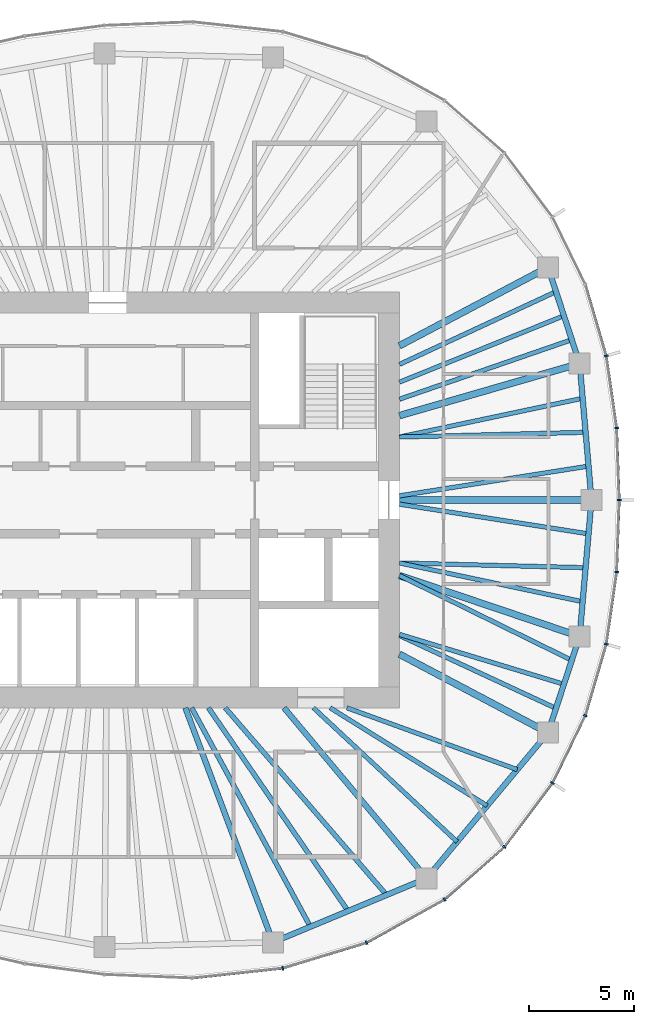
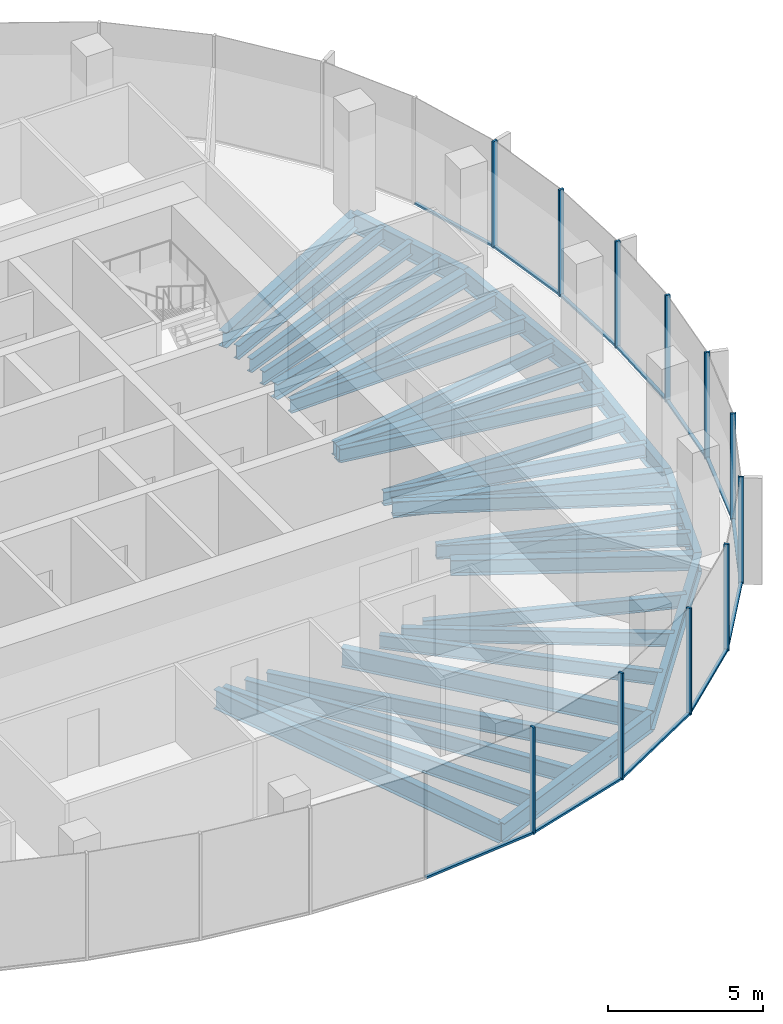
# One storey, part 4 of 12: 31 beams, 23 members, 7 elements without a shape of their own.
"""IFC4 building model written with IfcOpenShell, lengths in metres."""

from ifc_helpers import new_model, si_unit, direction, frame, origin, origin_2d, place, context, subcontext, project, spatial, rectangle, i_section, extrude, material, material_profile, profile_set, type_object, element, aggregate, save


model = new_model("IFC4")

# Units and contexts
model_context = context("Model", 3, precision=1e-05, world=origin(), true_north=direction((0.0, 1.0)))
body_context = subcontext(model_context, "Body", "Model", "MODEL_VIEW")
ifc_project = project(units=[si_unit("LENGTHUNIT", "METRE"), si_unit("AREAUNIT", "SQUARE_METRE"), si_unit("VOLUMEUNIT", "CUBIC_METRE"), si_unit("PLANEANGLEUNIT", "RADIAN"), si_unit("MASSUNIT", "GRAM", prefix="KILO")], contexts=[model_context])

# Site, building, storey
site_placement = place(None, origin())
site = spatial("IfcSite", under=ifc_project, at=site_placement, CompositionType="ELEMENT")
building_placement = place(site_placement, origin())
building = spatial("IfcBuilding", under=site, at=building_placement, Name="Ghaith Harvest Tower", CompositionType="ELEMENT")
storey_placement = place(building_placement, frame((0.0, 0.0, 304.800048828125)))
storey = spatial("IfcBuildingStorey", under=building, at=storey_placement, Name="L68", CompositionType="ELEMENT", Elevation=304.800048828125)

# Curtain wall, members
ifc_material_1 = material(Name="Black anodised aluminium and fritted glass", Category="aluminium")
curtain_wall_type = type_object("IfcCurtainWallType", Name="CW-T CURTAIN WALL", PredefinedType="NOTDEFINED", material=ifc_material_1)
curtain_wall_1_placement = place(storey_placement, origin())
curtain_wall_1 = element("IfcCurtainWall", 1, at=curtain_wall_1_placement, inside=storey, type_object=curtain_wall_type, Name="Curtain wall CW-T bay 01 L68", PredefinedType="NOTDEFINED")
ifc_material_2 = material(Name="Aluminium, black anodised", Category="aluminium")
ifc_material_profile_1 = material_profile(ifc_material_2, rectangle(XDim=0.080078125, YDim=0.179931640625, at=origin_2d()), Name="CW-T MULLION 80x180")
ifc_profile_set_1 = profile_set([ifc_material_profile_1], Name="Aluminium, black anodised")
member_type_1 = type_object("IfcMemberType", Name="CW-T MULLION 80x180", PredefinedType="MULLION", material=ifc_profile_set_1)
member_1_placement = place(storey_placement, frame((24.3701171875, 0.0, 0.0), z_axis=(0.0, 0.0, 1.0), x_axis=(5.2e-11, 1.0, 0.0)))
member_1 = element("IfcMember", 2, at=member_1_placement, type_object=member_type_1, Name="CW-T mullion 1 bay 01 L68", PredefinedType="MULLION", context=body_context, shape_type="SweptSolid", body=[
    extrude(rectangle(XDim=0.080078125, YDim=0.179931640625, at=origin_2d()), origin(), (0.0, 0.0, 1.0), 4.199951171875),
])
member_2_placement = place(storey_placement, frame((24.247802734375, 3.433837890625, 0.0), z_axis=(0.0, 0.0, 1.0), x_axis=(-0.089502202236, 0.995986624305, 0.0)))
member_2 = element("IfcMember", 3, at=member_2_placement, type_object=member_type_1, Name="CW-T mullion 2 bay 01 L68", PredefinedType="MULLION", context=body_context, shape_type="SweptSolid", body=[
    extrude(rectangle(XDim=0.080078125, YDim=0.179931640625, at=origin_2d()), origin(), (0.0, 0.0, 1.0), 4.199951171875),
])

# Curtain wall, member
curtain_wall_2_placement = place(storey_placement, origin())
curtain_wall_2 = element("IfcCurtainWall", 4, at=curtain_wall_2_placement, inside=storey, type_object=curtain_wall_type, Name="Curtain wall CW-T bay 02 L68", PredefinedType="NOTDEFINED")
member_3_placement = place(storey_placement, frame((23.753173828125, 6.865234375, 0.0), z_axis=(0.0, 0.0, 1.0), x_axis=(-0.21340203233, 0.976964468442, 0.0)))
member_3 = element("IfcMember", 5, at=member_3_placement, type_object=member_type_1, Name="CW-T mullion 1 bay 02 L68", PredefinedType="MULLION", context=body_context, shape_type="SweptSolid", body=[
    extrude(rectangle(XDim=0.080078125, YDim=0.179931640625, at=origin_2d()), origin(), (0.0, 0.0, 1.0), 4.199951171875),
])

# Curtain wall, members
curtain_wall_3_placement = place(storey_placement, origin())
curtain_wall_3 = element("IfcCurtainWall", 6, at=curtain_wall_3_placement, inside=storey, type_object=curtain_wall_type, Name="Curtain wall CW-T bay 17 L68", PredefinedType="NOTDEFINED")
member_4_placement = place(storey_placement, frame((8.33984375, -22.308837890625, 0.0), z_axis=(0.0, 0.0, 1.0), x_axis=(0.980000193265, 0.198996535647, 0.0)))
member_4 = element("IfcMember", 7, at=member_4_placement, type_object=member_type_1, Name="CW-T mullion 1 bay 17 L68", PredefinedType="MULLION", context=body_context, shape_type="SweptSolid", body=[
    extrude(rectangle(XDim=0.080078125, YDim=0.179931640625, at=origin_2d()), origin(), (0.0, 0.0, 1.0), 4.199951171875),
])
member_5_placement = place(storey_placement, frame((12.334228515625, -21.091796875, 0.0), z_axis=(0.0, 0.0, 1.0), x_axis=(0.920319269335, 0.391168048914, 0.0)))
member_5 = element("IfcMember", 8, at=member_5_placement, type_object=member_type_1, Name="CW-T mullion 2 bay 17 L68", PredefinedType="MULLION", context=body_context, shape_type="SweptSolid", body=[
    extrude(rectangle(XDim=0.080078125, YDim=0.179931640625, at=origin_2d()), origin(), (0.0, 0.0, 1.0), 4.199951171875),
])

curtain_wall_4_placement = place(storey_placement, origin())
curtain_wall_4 = element("IfcCurtainWall", 9, at=curtain_wall_4_placement, inside=storey, type_object=curtain_wall_type, Name="Curtain wall CW-T bay 18 L68", PredefinedType="NOTDEFINED")
member_6_placement = place(storey_placement, frame((16.04931640625, -19.031982421875, 0.0), z_axis=(0.0, 0.0, 1.0), x_axis=(0.821112053644, 0.570767023715, 0.0)))
member_6 = element("IfcMember", 10, at=member_6_placement, type_object=member_type_1, Name="CW-T mullion 1 bay 18 L68", PredefinedType="MULLION", context=body_context, shape_type="SweptSolid", body=[
    extrude(rectangle(XDim=0.080078125, YDim=0.179931640625, at=origin_2d()), origin(), (0.0, 0.0, 1.0), 4.199951171875),
])
member_7_placement = place(storey_placement, frame((18.901123046875, -16.527099609375, 0.0), z_axis=(0.0, 0.0, 1.0), x_axis=(0.679660897254, 0.733526458108, 0.0)))
member_7 = element("IfcMember", 11, at=member_7_placement, type_object=member_type_1, Name="CW-T mullion 2 bay 18 L68", PredefinedType="MULLION", context=body_context, shape_type="SweptSolid", body=[
    extrude(rectangle(XDim=0.080078125, YDim=0.179931640625, at=origin_2d()), origin(), (0.0, 0.0, 1.0), 4.199951171875),
])

curtain_wall_5_placement = place(storey_placement, origin())
curtain_wall_5 = element("IfcCurtainWall", 12, at=curtain_wall_5_placement, inside=storey, type_object=curtain_wall_type, Name="Curtain wall CW-T bay 19 L68", PredefinedType="NOTDEFINED")
member_8_placement = place(storey_placement, frame((21.18896484375, -13.48486328125, 0.0), z_axis=(0.0, 0.0, 1.0), x_axis=(0.524482238715, 0.85142138878, 0.0)))
member_8 = element("IfcMember", 13, at=member_8_placement, type_object=member_type_1, Name="CW-T mullion 1 bay 19 L68", PredefinedType="MULLION", context=body_context, shape_type="SweptSolid", body=[
    extrude(rectangle(XDim=0.080078125, YDim=0.179931640625, at=origin_2d()), origin(), (0.0, 0.0, 1.0), 4.199951171875),
])
member_9_placement = place(storey_placement, frame((22.754150390625, -10.272216796875, 0.0), z_axis=(0.0, 0.0, 1.0), x_axis=(0.361184273904, 0.932494461262, 0.0)))
member_9 = element("IfcMember", 14, at=member_9_placement, type_object=member_type_1, Name="CW-T mullion 2 bay 19 L68", PredefinedType="MULLION", context=body_context, shape_type="SweptSolid", body=[
    extrude(rectangle(XDim=0.080078125, YDim=0.179931640625, at=origin_2d()), origin(), (0.0, 0.0, 1.0), 4.199951171875),
])

curtain_wall_6_placement = place(storey_placement, origin())
curtain_wall_6 = element("IfcCurtainWall", 15, at=curtain_wall_6_placement, inside=storey, type_object=curtain_wall_type, Name="Curtain wall CW-T bay 20 L68", PredefinedType="NOTDEFINED")
member_10_placement = place(storey_placement, frame((23.753173828125, -6.865234375, 0.0), z_axis=(0.0, 0.0, 1.0), x_axis=(0.213402032501, 0.976964468404, 0.0)))
member_10 = element("IfcMember", 16, at=member_10_placement, type_object=member_type_1, Name="CW-T mullion 1 bay 20 L68", PredefinedType="MULLION", context=body_context, shape_type="SweptSolid", body=[
    extrude(rectangle(XDim=0.080078125, YDim=0.179931640625, at=origin_2d()), origin(), (0.0, 0.0, 1.0), 4.199951171875),
])
member_11_placement = place(storey_placement, frame((24.247802734375, -3.433837890625, 0.0), z_axis=(0.0, 0.0, 1.0), x_axis=(0.089502202305, 0.995986624299, 0.0)))
member_11 = element("IfcMember", 17, at=member_11_placement, type_object=member_type_1, Name="CW-T mullion 2 bay 20 L68", PredefinedType="MULLION", context=body_context, shape_type="SweptSolid", body=[
    extrude(rectangle(XDim=0.080078125, YDim=0.179931640625, at=origin_2d()), origin(), (0.0, 0.0, 1.0), 4.199951171875),
])

# Member
ifc_material_3 = material(Name="Aluminium, black anodised", Category="aluminium")
ifc_material_profile_2 = material_profile(ifc_material_3, rectangle(XDim=0.1201171875, YDim=0.080078125, at=origin_2d()), Name="CW-T TRANSOM 120x80")
ifc_profile_set_2 = profile_set([ifc_material_profile_2], Name="Aluminium, black anodised")
member_type_2 = type_object("IfcMemberType", Name="CW-T TRANSOM 120x80", PredefinedType="USERDEFINED", material=ifc_profile_set_2)
member_12_placement = place(storey_placement, frame((24.36865234375, 0.0400390625, 0.0400390625), z_axis=(-0.035574759537, 0.999367017909, 0.0), x_axis=(-0.999367017909, -0.035574759537, 0.0)))
member_12 = element("IfcMember", 18, at=member_12_placement, type_object=member_type_2, Name="CW-T transom 1 bay 01 L68", ObjectType="TRANSOM", PredefinedType="USERDEFINED", context=body_context, shape_type="SweptSolid", body=[
    extrude(rectangle(XDim=0.1201171875, YDim=0.080078125, at=origin_2d()), origin(), (0.0, 0.0, 1.0), 3.35595703125),
])

member_13_placement = place(storey_placement, frame((24.2421875, 3.473388671875, 0.0400390625), z_axis=(-0.142733224301, 0.989761196795, 0.0), x_axis=(-0.989761196795, -0.142733224301, 0.0)))
member_13 = element("IfcMember", 19, at=member_13_placement, type_object=member_type_2, Name="CW-T transom 2 bay 01 L68", ObjectType="TRANSOM", PredefinedType="USERDEFINED", context=body_context, shape_type="SweptSolid", body=[
    extrude(rectangle(XDim=0.1201171875, YDim=0.080078125, at=origin_2d()), origin(), (0.0, 0.0, 1.0), 3.38671875),
])

aggregate(curtain_wall_1, [member_1, member_12, member_2, member_13])

member_14_placement = place(storey_placement, frame((23.741943359375, 6.903564453125, 0.0400390625), z_axis=(-0.281385475469, 0.95959481772, 0.0), x_axis=(-0.95959481772, -0.281385475469, 0.0)))
member_14 = element("IfcMember", 20, at=member_14_placement, type_object=member_type_2, Name="CW-T transom 1 bay 02 L68", ObjectType="TRANSOM", PredefinedType="USERDEFINED", context=body_context, shape_type="SweptSolid", body=[
    extrude(rectangle(XDim=0.1201171875, YDim=0.080078125, at=origin_2d()), origin(), (0.0, 0.0, 1.0), 3.470458984375),
])

aggregate(curtain_wall_2, [member_3, member_14])

# Curtain wall, member
curtain_wall_7_placement = place(storey_placement, origin())
curtain_wall_7 = element("IfcCurtainWall", 21, at=curtain_wall_7_placement, inside=storey, type_object=curtain_wall_type, Name="Curtain wall CW-T bay 16 L68", PredefinedType="NOTDEFINED")
member_15_placement = place(storey_placement, frame((4.077392578125, -22.772216796875, 0.0400390625), z_axis=(0.994144463069, 0.108059180768, 0.0), x_axis=(-0.108059180768, 0.994144463069, 0.0)))
member_15 = element("IfcMember", 22, at=member_15_placement, type_object=member_type_2, Name="CW-T transom 2 bay 16 L68", ObjectType="TRANSOM", PredefinedType="USERDEFINED", context=body_context, shape_type="SweptSolid", body=[
    extrude(rectangle(XDim=0.1201171875, YDim=0.080078125, at=origin_2d()), origin(), (0.0, 0.0, 1.0), 4.24755859375),
])
aggregate(curtain_wall_7, [member_15])

# Member
member_16_placement = place(storey_placement, frame((8.378173828125, -22.297119140625, 0.0400390625), z_axis=(0.956593713342, 0.291424891858, 0.0), x_axis=(-0.291424891858, 0.956593713342, 0.0)))
member_16 = element("IfcMember", 23, at=member_16_placement, type_object=member_type_2, Name="CW-T transom 1 bay 17 L68", ObjectType="TRANSOM", PredefinedType="USERDEFINED", context=body_context, shape_type="SweptSolid", body=[
    extrude(rectangle(XDim=0.1201171875, YDim=0.080078125, at=origin_2d()), origin(), (0.0, 0.0, 1.0), 4.095703125),
])

member_17_placement = place(storey_placement, frame((12.369384765625, -21.072509765625, 0.0400390625), z_axis=(0.874552130553, 0.484931511603, 0.0), x_axis=(-0.484931511603, 0.874552130553, 0.0)))
member_17 = element("IfcMember", 24, at=member_17_placement, type_object=member_type_2, Name="CW-T transom 2 bay 17 L68", ObjectType="TRANSOM", PredefinedType="USERDEFINED", context=body_context, shape_type="SweptSolid", body=[
    extrude(rectangle(XDim=0.1201171875, YDim=0.080078125, at=origin_2d()), origin(), (0.0, 0.0, 1.0), 4.16748046875),
])

aggregate(curtain_wall_3, [member_4, member_16, member_5, member_17])

member_18_placement = place(storey_placement, frame((16.079345703125, -19.005615234375, 0.0400390625), z_axis=(0.751325799984, 0.659931467865, 0.0), x_axis=(-0.659931467865, 0.751325799984, 0.0)))
member_18 = element("IfcMember", 25, at=member_18_placement, type_object=member_type_2, Name="CW-T transom 1 bay 18 L68", ObjectType="TRANSOM", PredefinedType="USERDEFINED", context=body_context, shape_type="SweptSolid", body=[
    extrude(rectangle(XDim=0.1201171875, YDim=0.080078125, at=origin_2d()), origin(), (0.0, 0.0, 1.0), 3.7158203125),
])

member_19_placement = place(storey_placement, frame((18.925048828125, -16.4951171875, 0.0400390625), z_axis=(0.601079103045, 0.799189534392, 0.0), x_axis=(-0.799189534392, 0.601079103045, 0.0)))
member_19 = element("IfcMember", 26, at=member_19_placement, type_object=member_type_2, Name="CW-T transom 2 bay 18 L68", ObjectType="TRANSOM", PredefinedType="USERDEFINED", context=body_context, shape_type="SweptSolid", body=[
    extrude(rectangle(XDim=0.1201171875, YDim=0.080078125, at=origin_2d()), origin(), (0.0, 0.0, 1.0), 3.7265625),
])

aggregate(curtain_wall_4, [member_6, member_18, member_7, member_19])

member_20_placement = place(storey_placement, frame((21.20654296875, -13.448974609375, 0.0400390625), z_axis=(0.437965078712, 0.898991985408, 0.0), x_axis=(-0.898991985408, 0.437965078712, 0.0)))
member_20 = element("IfcMember", 27, at=member_20_placement, type_object=member_type_2, Name="CW-T transom 1 bay 19 L68", ObjectType="TRANSOM", PredefinedType="USERDEFINED", context=body_context, shape_type="SweptSolid", body=[
    extrude(rectangle(XDim=0.1201171875, YDim=0.080078125, at=origin_2d()), origin(), (0.0, 0.0, 1.0), 3.493408203125),
])

member_21_placement = place(storey_placement, frame((22.765380859375, -10.23388671875, 0.0400390625), z_axis=(0.281385475469, 0.95959481772, 0.0), x_axis=(-0.95959481772, 0.281385475469, 0.0)))
member_21 = element("IfcMember", 28, at=member_21_placement, type_object=member_type_2, Name="CW-T transom 2 bay 19 L68", ObjectType="TRANSOM", PredefinedType="USERDEFINED", context=body_context, shape_type="SweptSolid", body=[
    extrude(rectangle(XDim=0.1201171875, YDim=0.080078125, at=origin_2d()), origin(), (0.0, 0.0, 1.0), 3.470458984375),
])

aggregate(curtain_wall_5, [member_8, member_20, member_9, member_21])

member_22_placement = place(storey_placement, frame((23.7587890625, -6.825439453125, 0.0400390625), z_axis=(0.142733224301, 0.989761196795, 0.0), x_axis=(-0.989761196795, 0.142733224301, 0.0)))
member_22 = element("IfcMember", 29, at=member_22_placement, type_object=member_type_2, Name="CW-T transom 1 bay 20 L68", ObjectType="TRANSOM", PredefinedType="USERDEFINED", context=body_context, shape_type="SweptSolid", body=[
    extrude(rectangle(XDim=0.1201171875, YDim=0.080078125, at=origin_2d()), origin(), (0.0, 0.0, 1.0), 3.38671875),
])

member_23_placement = place(storey_placement, frame((24.249267578125, -3.393798828125, 0.0400390625), z_axis=(0.035574759537, 0.999367017909, 0.0), x_axis=(-0.999367017909, 0.035574759537, 0.0)))
member_23 = element("IfcMember", 30, at=member_23_placement, type_object=member_type_2, Name="CW-T transom 2 bay 20 L68", ObjectType="TRANSOM", PredefinedType="USERDEFINED", context=body_context, shape_type="SweptSolid", body=[
    extrude(rectangle(XDim=0.1201171875, YDim=0.080078125, at=origin_2d()), origin(), (0.0, 0.0, 1.0), 3.35595703125),
])

aggregate(curtain_wall_6, [member_10, member_22, member_11, member_23])

# Beams
ifc_material_4 = material(Name="Steel ASTM A992 Grade 50", Category="steel")
ifc_material_profile_3 = material_profile(ifc_material_4, i_section(OverallWidth=0.26611328125, OverallDepth=0.758056640625, WebThickness=0.013916015625, FlangeThickness=0.019287109375, at=origin_2d()), Name="W760X161")
ifc_profile_set_3 = profile_set([ifc_material_profile_3], Name="Steel ASTM A992 Grade 50")
beam_type_1 = type_object("IfcBeamType", Name="E760-161 W760X161", PredefinedType="SPANDREL", material=ifc_profile_set_3)
beam_1_placement = place(storey_placement, frame((23.050048828125, 0.0, -0.549072265625), z_axis=(-0.086600547306, 0.996243115513, 0.0), x_axis=(-0.996243115513, -0.086600547306, 0.0)))
element("IfcBeam", 31, at=beam_1_placement, inside=storey, type_object=beam_type_1, Name="Edge beam E01 L68", PredefinedType="SPANDREL", context=body_context, shape_type="SweptSolid", body=[
    extrude(i_section(OverallWidth=0.26611328125, OverallDepth=0.758056640625, WebThickness=0.013916015625, FlangeThickness=0.019287109375, at=origin_2d()), origin(), (0.0, 0.0, 1.0), 6.5234375),
])
beam_2_placement = place(storey_placement, frame((22.485107421875, 6.4990234375, -0.549072265625), z_axis=(-0.312206727278, 0.950014189074, 0.0), x_axis=(-0.950014189074, -0.312206727278, 0.0)))
element("IfcBeam", 32, at=beam_2_placement, inside=storey, type_object=beam_type_1, Name="Edge beam E02 L68", PredefinedType="SPANDREL", context=body_context, shape_type="SweptSolid", body=[
    extrude(i_section(OverallWidth=0.26611328125, OverallDepth=0.758056640625, WebThickness=0.013916015625, FlangeThickness=0.019287109375, at=origin_2d()), origin(), (0.0, 0.0, 1.0), 4.830322265625),
])
beam_3_placement = place(storey_placement, frame((7.8779296875, -21.072021484375, -0.549072265625), z_axis=(0.923119729219, 0.384512633766, 0.0), x_axis=(-0.384512633766, 0.923119729219, 0.0)))
element("IfcBeam", 33, at=beam_3_placement, inside=storey, type_object=beam_type_1, Name="Edge beam E17 L68", PredefinedType="SPANDREL", context=body_context, shape_type="SweptSolid", body=[
    extrude(i_section(OverallWidth=0.26611328125, OverallDepth=0.758056640625, WebThickness=0.013916015625, FlangeThickness=0.019287109375, at=origin_2d()), origin(), (0.0, 0.0, 1.0), 7.9296875),
])
beam_4_placement = place(storey_placement, frame((15.197998046875, -18.02294921875, -0.549072265625), z_axis=(0.640173759088, 0.76823014662, 0.0), x_axis=(-0.76823014662, 0.640173759088, 0.0)))
element("IfcBeam", 34, at=beam_4_placement, inside=storey, type_object=beam_type_1, Name="Edge beam E18 L68", PredefinedType="SPANDREL", context=body_context, shape_type="SweptSolid", body=[
    extrude(i_section(OverallWidth=0.26611328125, OverallDepth=0.758056640625, WebThickness=0.013916015625, FlangeThickness=0.019287109375, at=origin_2d()), origin(), (0.0, 0.0, 1.0), 9.02734375),
])
beam_5_placement = place(storey_placement, frame((20.97705078125, -11.087890625, -0.549072265625), z_axis=(0.312206727278, 0.950014189074, 0.0), x_axis=(-0.950014189074, 0.312206727278, 0.0)))
element("IfcBeam", 35, at=beam_5_placement, inside=storey, type_object=beam_type_1, Name="Edge beam E19 L68", PredefinedType="SPANDREL", context=body_context, shape_type="SweptSolid", body=[
    extrude(i_section(OverallWidth=0.26611328125, OverallDepth=0.758056640625, WebThickness=0.013916015625, FlangeThickness=0.019287109375, at=origin_2d()), origin(), (0.0, 0.0, 1.0), 4.830322265625),
])
beam_6_placement = place(storey_placement, frame((22.485107421875, -6.4990234375, -0.549072265625), z_axis=(0.086600547306, 0.996243115513, 0.0), x_axis=(-0.996243115513, 0.086600547306, 0.0)))
element("IfcBeam", 36, at=beam_6_placement, inside=storey, type_object=beam_type_1, Name="Edge beam E20 L68", PredefinedType="SPANDREL", context=body_context, shape_type="SweptSolid", body=[
    extrude(i_section(OverallWidth=0.26611328125, OverallDepth=0.758056640625, WebThickness=0.013916015625, FlangeThickness=0.019287109375, at=origin_2d()), origin(), (0.0, 0.0, 1.0), 6.5234375),
])
ifc_material_5 = material(Name="Steel ASTM A992 Grade 50", Category="steel")
ifc_material_profile_4 = material_profile(ifc_material_5, i_section(OverallWidth=0.323974609375, OverallDepth=0.611083984375, WebThickness=0.0126953125, FlangeThickness=0.01904296875, at=origin_2d()), Name="W610X155")
ifc_profile_set_4 = profile_set([ifc_material_profile_4], Name="Steel ASTM A992 Grade 50")
beam_type_2 = type_object("IfcBeamType", Name="G610-155 W610X155", PredefinedType="BEAM", material=ifc_profile_set_4)
beam_7_placement = place(storey_placement, frame((13.89990234375, 0.0, -0.4755859375), z_axis=(1.0, 0.0, 0.0), x_axis=(0.0, 1.0, 0.0)))
element("IfcBeam", 37, at=beam_7_placement, inside=storey, type_object=beam_type_2, Name="Radial girder G01 L68", PredefinedType="BEAM", context=body_context, shape_type="SweptSolid", body=[
    extrude(i_section(OverallWidth=0.323974609375, OverallDepth=0.611083984375, WebThickness=0.0126953125, FlangeThickness=0.01904296875, at=origin_2d()), origin(), (0.0, 0.0, 1.0), 9.150146484375),
])
beam_8_placement = place(storey_placement, frame((13.89990234375, 4.017333984375, -0.4755859375), z_axis=(0.960668846071, 0.27769653975, 0.0), x_axis=(-0.27769653975, 0.960668846071, 0.0)))
element("IfcBeam", 38, at=beam_8_placement, inside=storey, type_object=beam_type_2, Name="Radial girder G02 L68", PredefinedType="BEAM", context=body_context, shape_type="SweptSolid", body=[
    extrude(i_section(OverallWidth=0.323974609375, OverallDepth=0.611083984375, WebThickness=0.0126953125, FlangeThickness=0.01904296875, at=origin_2d()), origin(), (0.0, 0.0, 1.0), 8.936767578125),
])
for number, where, z_axis, x_axis, name in (
    (39, (13.89990234375, 7.34716796875, -0.4755859375), (0.884097820364, 0.467301876764, 0.0), (-0.467301876764, 0.884097820364, 0.0), "Radial girder G03 L68"),
    (40, (13.89990234375, -7.34716796875, -0.4755859375), (0.884097820364, -0.467301876764, 0.0), (0.467301876764, 0.884097820364, 0.0), "Radial girder G19 L68"),
):
    element("IfcBeam", number, at=place(storey_placement, frame(where, z_axis=z_axis, x_axis=x_axis)), inside=storey, type_object=beam_type_2, Name=name, PredefinedType="BEAM", context=body_context, shape_type="SweptSolid", body=[
        extrude(i_section(OverallWidth=0.323974609375, OverallDepth=0.611083984375, WebThickness=0.0126953125, FlangeThickness=0.01904296875, at=origin_2d()), origin(), (0.0, 0.0, 1.0), 8.0048828125),
    ])
beam_9_placement = place(storey_placement, frame((13.89990234375, -3.60009765625, -0.4755859375), z_axis=(0.947444819082, -0.319919231673, 0.0), x_axis=(0.319919231673, 0.947444819082, 0.0)))
element("IfcBeam", 41, at=beam_9_placement, inside=storey, type_object=beam_type_2, Name="Radial girder G20 L68", PredefinedType="BEAM", context=body_context, shape_type="SweptSolid", body=[
    extrude(i_section(OverallWidth=0.323974609375, OverallDepth=0.611083984375, WebThickness=0.0126953125, FlangeThickness=0.01904296875, at=origin_2d()), origin(), (0.0, 0.0, 1.0), 9.0615234375),
])
ifc_material_6 = material(Name="Steel ASTM A992 Grade 50", Category="steel")
ifc_material_profile_5 = material_profile(ifc_material_6, i_section(OverallWidth=0.26611328125, OverallDepth=0.758056640625, WebThickness=0.013916015625, FlangeThickness=0.019287109375, at=origin_2d()), Name="W760X161")
ifc_profile_set_5 = profile_set([ifc_material_profile_5], Name="Steel ASTM A992 Grade 50")
beam_type_3 = type_object("IfcBeamType", Name="G760-161 W760X161", PredefinedType="BEAM", material=ifc_profile_set_5)
beam_10_placement = place(storey_placement, frame((3.700927734375, -9.89990234375, -0.549072265625), z_axis=(0.350201332531, -0.936674450753, 0.0), x_axis=(0.936674450753, 0.350201332531, 0.0)))
element("IfcBeam", 42, at=beam_10_placement, inside=storey, type_object=beam_type_3, Name="Radial girder G17 L68", PredefinedType="BEAM", context=body_context, shape_type="SweptSolid", body=[
    extrude(i_section(OverallWidth=0.26611328125, OverallDepth=0.758056640625, WebThickness=0.013916015625, FlangeThickness=0.019287109375, at=origin_2d()), origin(), (0.0, 0.0, 1.0), 11.927490234375),
])
beam_11_placement = place(storey_placement, frame((8.39990234375, -9.89990234375, -0.549072265625), z_axis=(0.641792628883, -0.766878231215, 0.0), x_axis=(0.766878231215, 0.641792628883, 0.0)))
element("IfcBeam", 43, at=beam_11_placement, inside=storey, type_object=beam_type_3, Name="Radial girder G18 L68", PredefinedType="BEAM", context=body_context, shape_type="SweptSolid", body=[
    extrude(i_section(OverallWidth=0.26611328125, OverallDepth=0.758056640625, WebThickness=0.013916015625, FlangeThickness=0.019287109375, at=origin_2d()), origin(), (0.0, 0.0, 1.0), 10.59228515625),
])
ifc_material_7 = material(Name="Steel ASTM A992 Grade 50", Category="steel")
ifc_material_profile_6 = material_profile(ifc_material_7, i_section(OverallWidth=0.2109375, OverallDepth=0.5390625, WebThickness=0.01171875, FlangeThickness=0.018798828125, at=origin_2d()), Name="W530X109")
ifc_profile_set_6 = profile_set([ifc_material_profile_6], Name="Steel ASTM A992 Grade 50")
beam_type_4 = type_object("IfcBeamType", Name="J530-109 W530X109", PredefinedType="JOIST", material=ifc_profile_set_6)
beam_12_placement = place(storey_placement, frame((13.89990234375, 0.199951171875, -0.439453125), z_axis=(0.987906665526, 0.155049734628, 0.0), x_axis=(-0.155049734628, 0.987906665526, 0.0)))
element("IfcBeam", 44, at=beam_12_placement, inside=storey, type_object=beam_type_4, Name="Joist J01.1 L68", PredefinedType="JOIST", context=body_context, shape_type="SweptSolid", body=[
    extrude(i_section(OverallWidth=0.2109375, OverallDepth=0.5390625, WebThickness=0.01171875, FlangeThickness=0.018798828125, at=origin_2d()), origin(), (0.0, 0.0, 1.0), 9.1201171875),
])
beam_13_placement = place(storey_placement, frame((13.89990234375, 3.0, -0.439453125), z_axis=(0.999679533859, 0.025314612071, 0.0), x_axis=(-0.025314612071, 0.999679533859, 0.0)))
element("IfcBeam", 45, at=beam_13_placement, inside=storey, type_object=beam_type_4, Name="Joist J01.2 L68", PredefinedType="JOIST", context=body_context, shape_type="SweptSolid", body=[
    extrude(i_section(OverallWidth=0.2109375, OverallDepth=0.5390625, WebThickness=0.01171875, FlangeThickness=0.018798828125, at=origin_2d()), origin(), (0.0, 0.0, 1.0), 8.872802734375),
])
beam_14_placement = place(storey_placement, frame((13.89990234375, 3.0, -0.439453125), z_axis=(0.97833382446, 0.207033639579, 0.0), x_axis=(-0.207033639579, 0.97833382446, 0.0)))
element("IfcBeam", 46, at=beam_14_placement, inside=storey, type_object=beam_type_4, Name="Joist J01.3 L68", PredefinedType="JOIST", context=body_context, shape_type="SweptSolid", body=[
    extrude(i_section(OverallWidth=0.2109375, OverallDepth=0.5390625, WebThickness=0.01171875, FlangeThickness=0.018798828125, at=origin_2d()), origin(), (0.0, 0.0, 1.0), 8.922119140625),
])
beam_15_placement = place(storey_placement, frame((13.89990234375, 4.801025390625, -0.439453125), z_axis=(0.945204712775, 0.326478254937, 0.0), x_axis=(-0.326478254937, 0.945204712775, 0.0)))
element("IfcBeam", 47, at=beam_15_placement, inside=storey, type_object=beam_type_4, Name="Joist J02.1 L68", PredefinedType="JOIST", context=body_context, shape_type="SweptSolid", body=[
    extrude(i_section(OverallWidth=0.2109375, OverallDepth=0.5390625, WebThickness=0.01171875, FlangeThickness=0.018798828125, at=origin_2d()), origin(), (0.0, 0.0, 1.0), 8.687255859375),
])
beam_16_placement = place(storey_placement, frame((13.89990234375, 5.61328125, -0.439453125), z_axis=(0.927254375113, 0.374432001615, 0.0), x_axis=(-0.374432001615, 0.927254375113, 0.0)))
element("IfcBeam", 48, at=beam_16_placement, inside=storey, type_object=beam_type_4, Name="Joist J02.2 L68", PredefinedType="JOIST", context=body_context, shape_type="SweptSolid", body=[
    extrude(i_section(OverallWidth=0.2109375, OverallDepth=0.5390625, WebThickness=0.01171875, FlangeThickness=0.018798828125, at=origin_2d()), origin(), (0.0, 0.0, 1.0), 8.450927734375),
])
beam_17_placement = place(storey_placement, frame((13.89990234375, 6.45947265625, -0.439453125), z_axis=(0.906859906661, 0.42143221245, 0.0), x_axis=(-0.42143221245, 0.906859906661, 0.0)))
element("IfcBeam", 49, at=beam_17_placement, inside=storey, type_object=beam_type_4, Name="Joist J02.3 L68", PredefinedType="JOIST", context=body_context, shape_type="SweptSolid", body=[
    extrude(i_section(OverallWidth=0.2109375, OverallDepth=0.5390625, WebThickness=0.01171875, FlangeThickness=0.018798828125, at=origin_2d()), origin(), (0.0, 0.0, 1.0), 8.22509765625),
])
beam_18_placement = place(storey_placement, frame((9.800048828125, -9.89990234375, -0.439453125), z_axis=(0.73164904944, -0.681681500742, 0.0), x_axis=(0.681681500742, 0.73164904944, 0.0)))
element("IfcBeam", 50, at=beam_18_placement, inside=storey, type_object=beam_type_4, Name="Joist J18.1 L68", PredefinedType="JOIST", context=body_context, shape_type="SweptSolid", body=[
    extrude(i_section(OverallWidth=0.2109375, OverallDepth=0.5390625, WebThickness=0.01171875, FlangeThickness=0.018798828125, at=origin_2d()), origin(), (0.0, 0.0, 1.0), 9.361572265625),
])
beam_19_placement = place(storey_placement, frame((10.60009765625, -9.89990234375, -0.439453125), z_axis=(0.84837619421, -0.52939383553, 0.0), x_axis=(0.52939383553, 0.84837619421, 0.0)))
element("IfcBeam", 51, at=beam_19_placement, inside=storey, type_object=beam_type_4, Name="Joist J18.2 L68", PredefinedType="JOIST", context=body_context, shape_type="SweptSolid", body=[
    extrude(i_section(OverallWidth=0.2109375, OverallDepth=0.5390625, WebThickness=0.01171875, FlangeThickness=0.018798828125, at=origin_2d()), origin(), (0.0, 0.0, 1.0), 8.814697265625),
])
beam_20_placement = place(storey_placement, frame((11.39990234375, -9.89990234375, -0.439453125), z_axis=(0.939925501564, -0.341379629605, 0.0), x_axis=(0.341379629605, 0.939925501564, 0.0)))
element("IfcBeam", 52, at=beam_20_placement, inside=storey, type_object=beam_type_4, Name="Joist J18.3 L68", PredefinedType="JOIST", context=body_context, shape_type="SweptSolid", body=[
    extrude(i_section(OverallWidth=0.2109375, OverallDepth=0.5390625, WebThickness=0.01171875, FlangeThickness=0.018798828125, at=origin_2d()), origin(), (0.0, 0.0, 1.0), 8.630615234375),
])
beam_21_placement = place(storey_placement, frame((13.89990234375, -6.45947265625, -0.439453125), z_axis=(0.906859906661, -0.42143221245, 0.0), x_axis=(0.42143221245, 0.906859906661, 0.0)))
element("IfcBeam", 53, at=beam_21_placement, inside=storey, type_object=beam_type_4, Name="Joist J19.1 L68", PredefinedType="JOIST", context=body_context, shape_type="SweptSolid", body=[
    extrude(i_section(OverallWidth=0.2109375, OverallDepth=0.5390625, WebThickness=0.01171875, FlangeThickness=0.018798828125, at=origin_2d()), origin(), (0.0, 0.0, 1.0), 8.22509765625),
])
beam_22_placement = place(storey_placement, frame((13.89990234375, -6.39990234375, -0.439453125), z_axis=(0.9569197823, -0.290352424208, 0.0), x_axis=(0.290352424208, 0.9569197823, 0.0)))
element("IfcBeam", 54, at=beam_22_placement, inside=storey, type_object=beam_type_4, Name="Joist J19.2 L68", PredefinedType="JOIST", context=body_context, shape_type="SweptSolid", body=[
    extrude(i_section(OverallWidth=0.2109375, OverallDepth=0.5390625, WebThickness=0.01171875, FlangeThickness=0.018798828125, at=origin_2d()), origin(), (0.0, 0.0, 1.0), 8.18896484375),
])
beam_23_placement = place(storey_placement, frame((13.89990234375, -3.60009765625, -0.439453125), z_axis=(0.89740088778, -0.441216099674, 0.0), x_axis=(0.441216099674, 0.89740088778, 0.0)))
element("IfcBeam", 55, at=beam_23_placement, inside=storey, type_object=beam_type_4, Name="Joist J19.3 L68", PredefinedType="JOIST", context=body_context, shape_type="SweptSolid", body=[
    extrude(i_section(OverallWidth=0.2109375, OverallDepth=0.5390625, WebThickness=0.01171875, FlangeThickness=0.018798828125, at=origin_2d()), origin(), (0.0, 0.0, 1.0), 9.14990234375),
])
beam_24_placement = place(storey_placement, frame((13.89990234375, -3.0, -0.439453125), z_axis=(0.97833382446, -0.207033639579, 0.0), x_axis=(0.207033639579, 0.97833382446, 0.0)))
element("IfcBeam", 56, at=beam_24_placement, inside=storey, type_object=beam_type_4, Name="Joist J20.1 L68", PredefinedType="JOIST", context=body_context, shape_type="SweptSolid", body=[
    extrude(i_section(OverallWidth=0.2109375, OverallDepth=0.5390625, WebThickness=0.01171875, FlangeThickness=0.018798828125, at=origin_2d()), origin(), (0.0, 0.0, 1.0), 8.922119140625),
])
beam_25_placement = place(storey_placement, frame((13.89990234375, -3.0, -0.439453125), z_axis=(0.999679533859, -0.025314612071, 0.0), x_axis=(0.025314612071, 0.999679533859, 0.0)))
element("IfcBeam", 57, at=beam_25_placement, inside=storey, type_object=beam_type_4, Name="Joist J20.2 L68", PredefinedType="JOIST", context=body_context, shape_type="SweptSolid", body=[
    extrude(i_section(OverallWidth=0.2109375, OverallDepth=0.5390625, WebThickness=0.01171875, FlangeThickness=0.018798828125, at=origin_2d()), origin(), (0.0, 0.0, 1.0), 8.872802734375),
])
beam_26_placement = place(storey_placement, frame((13.89990234375, -0.199951171875, -0.439453125), z_axis=(0.987906665526, -0.155049734628, 0.0), x_axis=(0.155049734628, 0.987906665526, 0.0)))
element("IfcBeam", 58, at=beam_26_placement, inside=storey, type_object=beam_type_4, Name="Joist J20.3 L68", PredefinedType="JOIST", context=body_context, shape_type="SweptSolid", body=[
    extrude(i_section(OverallWidth=0.2109375, OverallDepth=0.5390625, WebThickness=0.01171875, FlangeThickness=0.018798828125, at=origin_2d()), origin(), (0.0, 0.0, 1.0), 9.1201171875),
])
ifc_material_8 = material(Name="Steel ASTM A992 Grade 50", Category="steel")
ifc_material_profile_7 = material_profile(ifc_material_8, i_section(OverallWidth=0.22998046875, OverallDepth=0.616943359375, WebThickness=0.01318359375, FlangeThickness=0.022216796875, at=origin_2d()), Name="W610X140")
ifc_profile_set_7 = profile_set([ifc_material_profile_7], Name="Steel ASTM A992 Grade 50")
beam_type_5 = type_object("IfcBeamType", Name="J610-140 W610X140", PredefinedType="JOIST", material=ifc_profile_set_7)
beam_27_placement = place(storey_placement, frame((4.0, -9.89990234375, -0.478515625), z_axis=(0.476764926531, -0.879030832696, 0.0), x_axis=(0.879030832696, 0.476764926531, 0.0)))
element("IfcBeam", 59, at=beam_27_placement, inside=storey, type_object=beam_type_5, Name="Joist J17.1 L68", PredefinedType="JOIST", context=body_context, shape_type="SweptSolid", body=[
    extrude(i_section(OverallWidth=0.22998046875, OverallDepth=0.616943359375, WebThickness=0.01318359375, FlangeThickness=0.022216796875, at=origin_2d()), origin(), (0.0, 0.0, 1.0), 11.866455078125),
])
beam_28_placement = place(storey_placement, frame((4.800048828125, -9.89990234375, -0.478515625), z_axis=(0.566228035119, -0.824248634967, 0.0), x_axis=(0.824248634967, 0.566228035119, 0.0)))
element("IfcBeam", 60, at=beam_28_placement, inside=storey, type_object=beam_type_5, Name="Joist J17.2 L68", PredefinedType="JOIST", context=body_context, shape_type="SweptSolid", body=[
    extrude(i_section(OverallWidth=0.22998046875, OverallDepth=0.616943359375, WebThickness=0.01318359375, FlangeThickness=0.022216796875, at=origin_2d()), origin(), (0.0, 0.0, 1.0), 11.748046875),
])
beam_29_placement = place(storey_placement, frame((5.60009765625, -9.89990234375, -0.478515625), z_axis=(0.652992938501, -0.757363995888, 0.0), x_axis=(0.757363995888, 0.652992938501, 0.0)))
element("IfcBeam", 61, at=beam_29_placement, inside=storey, type_object=beam_type_5, Name="Joist J17.3 L68", PredefinedType="JOIST", context=body_context, shape_type="SweptSolid", body=[
    extrude(i_section(OverallWidth=0.22998046875, OverallDepth=0.616943359375, WebThickness=0.01318359375, FlangeThickness=0.022216796875, at=origin_2d()), origin(), (0.0, 0.0, 1.0), 11.775390625),
])

save(model, "model.ifc")
